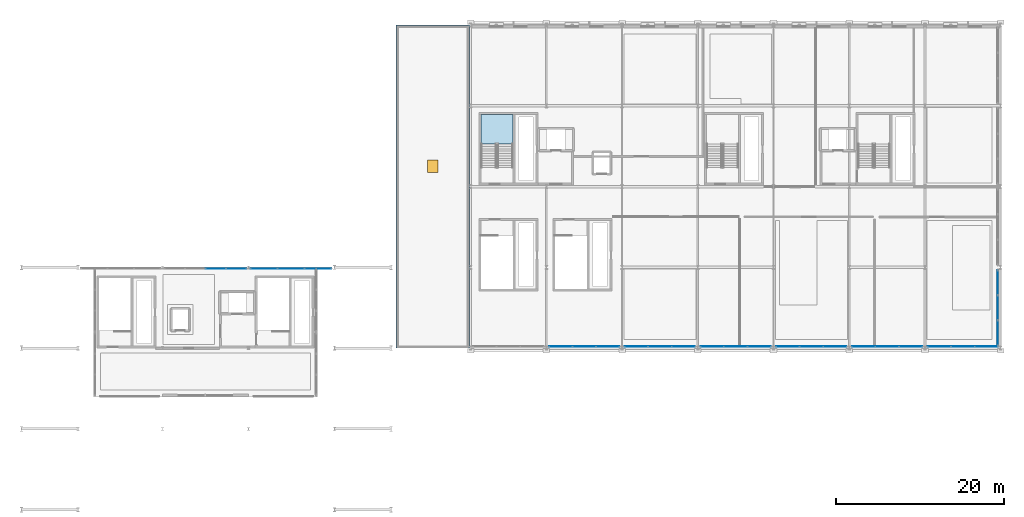
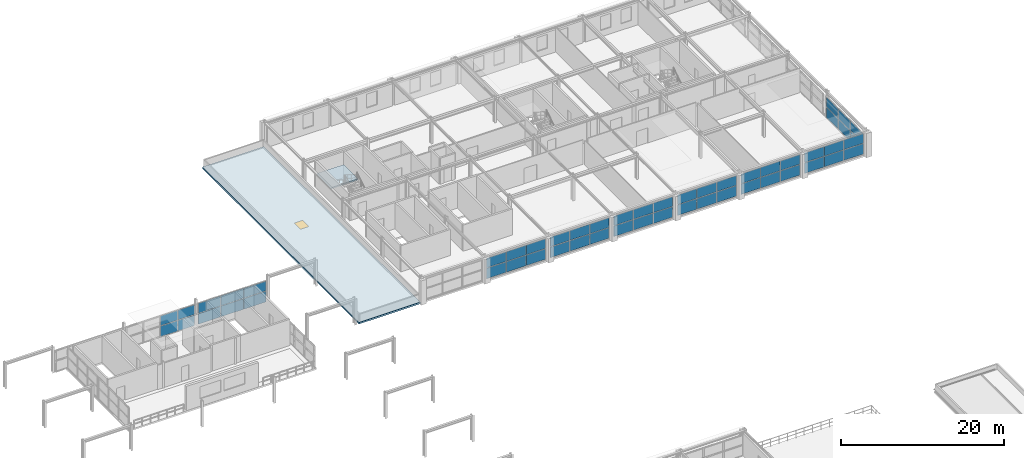
# One storey, part 32 of 52: 52 plates, 2 slabs, 1 window, 1 opening, 10 elements without a shape of their own.
"""IFC4 building model written with IfcOpenShell, lengths in metres."""

from ifc_helpers import new_model, si_unit, direction, frame, origin, origin_2d, place, context, subcontext, project, spatial, polyline, rectangle, outline, extrude, material, layer, layer_set, type_object, element, fill, aggregate, save


model = new_model("IFC4")

# Units and contexts
model_context = context("Model", 3, precision=1e-05, world=origin(), true_north=direction((0.0, 1.0)))
body_context = subcontext(model_context, "Body", "Model", "MODEL_VIEW")
ifc_project = project(units=[si_unit("LENGTHUNIT", "METRE"), si_unit("AREAUNIT", "SQUARE_METRE"), si_unit("VOLUMEUNIT", "CUBIC_METRE"), si_unit("PLANEANGLEUNIT", "RADIAN"), si_unit("MASSUNIT", "GRAM", prefix="KILO")], contexts=[model_context])

# Site, building, storey
site_placement = place(None, origin())
site = spatial("IfcSite", under=ifc_project, at=site_placement, CompositionType="ELEMENT")
building_placement = place(site_placement, origin())
building = spatial("IfcBuilding", under=site, at=building_placement, Name="Myrtia Square Station", CompositionType="ELEMENT")
storey_placement = place(building_placement, frame((0.0, 0.0, 15.0)))
storey = spatial("IfcBuildingStorey", under=building, at=storey_placement, Name="L03", CompositionType="ELEMENT", Elevation=15.0)

# Curtain wall, plates
ifc_material_1 = material(Name="Dark bronze anodised aluminium", Category="aluminium")
ifc_layer_1 = layer(ifc_material_1, 0.159912109375, Name="Dark bronze anodised aluminium")
ifc_layer_set_1 = layer_set([ifc_layer_1], Name="Dark bronze anodised aluminium")
curtain_wall_type_1 = type_object("IfcCurtainWallType", Name="CW-TYPE-16-980x325", PredefinedType="USERDEFINED", material=ifc_layer_set_1)
curtain_wall_1_placement = place(storey_placement, origin())
curtain_wall_1 = element("IfcCurtainWall", 1, at=curtain_wall_1_placement, inside=storey, type_object=curtain_wall_type_1, Name="Concourse curtain wall CW-L03-056", ObjectType="CONCOURSE CURTAIN WALL", PredefinedType="USERDEFINED")
ifc_material_2 = material(Name="Tinted low-E solar control glass", Category="glass")
ifc_layer_2 = layer(ifc_material_2, 0.02392578125, Name="Tinted low-E solar control glass")
ifc_layer_set_2 = layer_set([ifc_layer_2], Name="Tinted low-E solar control glass")
plate_type_1 = type_object("IfcPlateType", Name="CWP-GLZ-24", PredefinedType="CURTAIN_PANEL", material=ifc_layer_set_2)
plate_1_placement = place(storey_placement, frame((95.72509765625, 95.85009765625, 0.06494140625), z_axis=(0.0, 0.0, 1.0), x_axis=(1.0, 0.0, 0.0)))
plate_1 = element("IfcPlate", 2, at=plate_1_placement, type_object=plate_type_1, Name="CW-056 panel 3.1", PredefinedType="CURTAIN_PANEL", context=body_context, shape_type="SweptSolid", body=[
    extrude(rectangle(XDim=2.385009765625, YDim=0.02392578125, at=origin_2d()), origin(), (0.0, 0.0, 1.0), 1.592529296875),
])
plate_2_placement = place(storey_placement, frame((95.72509765625, 95.85009765625, 1.72265625), z_axis=(0.0, 0.0, 1.0), x_axis=(1.0, 0.0, 0.0)))
plate_2 = element("IfcPlate", 3, at=plate_2_placement, type_object=plate_type_1, Name="CW-056 panel 3.2", PredefinedType="CURTAIN_PANEL", context=body_context, shape_type="SweptSolid", body=[
    extrude(rectangle(XDim=2.385009765625, YDim=0.02392578125, at=origin_2d()), origin(), (0.0, 0.0, 1.0), 1.46240234375),
])
plate_3_placement = place(storey_placement, frame((98.15869140625, 95.85009765625, 0.06494140625), z_axis=(0.0, 0.0, 1.0), x_axis=(1.0, 0.0, 0.0)))
plate_3 = element("IfcPlate", 4, at=plate_3_placement, type_object=plate_type_1, Name="CW-056 panel 4.1", PredefinedType="CURTAIN_PANEL", context=body_context, shape_type="SweptSolid", body=[
    extrude(rectangle(XDim=2.3525390625, YDim=0.02392578125, at=origin_2d()), origin(), (0.0, 0.0, 1.0), 1.592529296875),
])
plate_4_placement = place(storey_placement, frame((98.15869140625, 95.85009765625, 1.72265625), z_axis=(0.0, 0.0, 1.0), x_axis=(1.0, 0.0, 0.0)))
plate_4 = element("IfcPlate", 5, at=plate_4_placement, type_object=plate_type_1, Name="CW-056 panel 4.2", PredefinedType="CURTAIN_PANEL", context=body_context, shape_type="SweptSolid", body=[
    extrude(rectangle(XDim=2.3525390625, YDim=0.02392578125, at=origin_2d()), origin(), (0.0, 0.0, 1.0), 1.46240234375),
])
aggregate(curtain_wall_1, [plate_1, plate_2, plate_3, plate_4])

ifc_layer_3 = layer(ifc_material_1, 0.159912109375, Name="Dark bronze anodised aluminium")
ifc_layer_set_3 = layer_set([ifc_layer_3], Name="Dark bronze anodised aluminium")
curtain_wall_type_2 = type_object("IfcCurtainWallType", Name="CW-TYPE-41-845x320", PredefinedType="USERDEFINED", material=ifc_layer_set_3)
curtain_wall_2_placement = place(storey_placement, origin())
curtain_wall_2 = element("IfcCurtainWall", 6, at=curtain_wall_2_placement, inside=storey, type_object=curtain_wall_type_2, Name="Concourse curtain wall CW-L03-148", ObjectType="CONCOURSE CURTAIN WALL", PredefinedType="USERDEFINED")
plate_5_placement = place(storey_placement, frame((181.6982421875, 86.60009765625, 0.06005859375), z_axis=(0.0, 0.0, 1.0), x_axis=(1.0, 0.0, 0.0)))
plate_5 = element("IfcPlate", 7, at=plate_5_placement, type_object=plate_type_1, Name="CW-148 panel 1.1", PredefinedType="CURTAIN_PANEL", context=body_context, shape_type="SweptSolid", body=[
    extrude(rectangle(XDim=2.7265625, YDim=0.02392578125, at=origin_2d()), origin(), (0.0, 0.0, 1.0), 1.573974609375),
])
plate_6_placement = place(storey_placement, frame((181.6982421875, 86.60009765625, 1.69384765625), z_axis=(0.0, 0.0, 1.0), x_axis=(1.0, 0.0, 0.0)))
plate_6 = element("IfcPlate", 8, at=plate_6_placement, type_object=plate_type_1, Name="CW-148 panel 1.2", PredefinedType="CURTAIN_PANEL", context=body_context, shape_type="SweptSolid", body=[
    extrude(rectangle(XDim=2.7265625, YDim=0.02392578125, at=origin_2d()), origin(), (0.0, 0.0, 1.0), 1.446044921875),
])
plate_7_placement = place(storey_placement, frame((184.5, 86.60009765625, 0.06005859375), z_axis=(0.0, 0.0, 1.0), x_axis=(1.0, 0.0, 0.0)))
plate_7 = element("IfcPlate", 9, at=plate_7_placement, type_object=plate_type_1, Name="CW-148 panel 2.1", PredefinedType="CURTAIN_PANEL", context=body_context, shape_type="SweptSolid", body=[
    extrude(rectangle(XDim=2.756591796875, YDim=0.02392578125, at=origin_2d()), origin(), (0.0, 0.0, 1.0), 1.573974609375),
])
plate_8_placement = place(storey_placement, frame((184.5, 86.60009765625, 1.69384765625), z_axis=(0.0, 0.0, 1.0), x_axis=(1.0, 0.0, 0.0)))
plate_8 = element("IfcPlate", 10, at=plate_8_placement, type_object=plate_type_1, Name="CW-148 panel 2.2", PredefinedType="CURTAIN_PANEL", context=body_context, shape_type="SweptSolid", body=[
    extrude(rectangle(XDim=2.756591796875, YDim=0.02392578125, at=origin_2d()), origin(), (0.0, 0.0, 1.0), 1.446044921875),
])
plate_9_placement = place(storey_placement, frame((187.3017578125, 86.60009765625, 0.06005859375), z_axis=(0.0, 0.0, 1.0), x_axis=(1.0, 0.0, 0.0)))
plate_9 = element("IfcPlate", 11, at=plate_9_placement, type_object=plate_type_1, Name="CW-148 panel 3.1", PredefinedType="CURTAIN_PANEL", context=body_context, shape_type="SweptSolid", body=[
    extrude(rectangle(XDim=2.7265625, YDim=0.02392578125, at=origin_2d()), origin(), (0.0, 0.0, 1.0), 1.573974609375),
])
plate_10_placement = place(storey_placement, frame((187.3017578125, 86.60009765625, 1.69384765625), z_axis=(0.0, 0.0, 1.0), x_axis=(1.0, 0.0, 0.0)))
plate_10 = element("IfcPlate", 12, at=plate_10_placement, type_object=plate_type_1, Name="CW-148 panel 3.2", PredefinedType="CURTAIN_PANEL", context=body_context, shape_type="SweptSolid", body=[
    extrude(rectangle(XDim=2.7265625, YDim=0.02392578125, at=origin_2d()), origin(), (0.0, 0.0, 1.0), 1.446044921875),
])
aggregate(curtain_wall_2, [plate_5, plate_6, plate_7, plate_8, plate_9, plate_10])

curtain_wall_3_placement = place(storey_placement, origin())
curtain_wall_3 = element("IfcCurtainWall", 13, at=curtain_wall_3_placement, inside=storey, type_object=curtain_wall_type_2, Name="Concourse curtain wall CW-L03-125", ObjectType="CONCOURSE CURTAIN WALL", PredefinedType="USERDEFINED")
ifc_layer_4 = layer(ifc_material_2, 0.028076171875, Name="Tinted low-E solar control glass")
ifc_layer_set_4 = layer_set([ifc_layer_4], Name="Tinted low-E solar control glass")
plate_type_2 = type_object("IfcPlateType", Name="CWP-GLZ-28", PredefinedType="CURTAIN_PANEL", material=ifc_layer_set_4)
plate_11_placement = place(storey_placement, frame((136.6982421875, 86.60009765625, 0.06005859375), z_axis=(0.0, 0.0, 1.0), x_axis=(1.0, 0.0, 0.0)))
plate_11 = element("IfcPlate", 14, at=plate_11_placement, type_object=plate_type_2, Name="CW-125 panel 1.1", PredefinedType="CURTAIN_PANEL", context=body_context, shape_type="SweptSolid", body=[
    extrude(rectangle(XDim=2.7265625, YDim=0.028076171875, at=origin_2d()), origin(), (0.0, 0.0, 1.0), 1.573974609375),
])
plate_12_placement = place(storey_placement, frame((136.6982421875, 86.60009765625, 1.69384765625), z_axis=(0.0, 0.0, 1.0), x_axis=(1.0, 0.0, 0.0)))
plate_12 = element("IfcPlate", 15, at=plate_12_placement, type_object=plate_type_2, Name="CW-125 panel 1.2", PredefinedType="CURTAIN_PANEL", context=body_context, shape_type="SweptSolid", body=[
    extrude(rectangle(XDim=2.7265625, YDim=0.028076171875, at=origin_2d()), origin(), (0.0, 0.0, 1.0), 1.446044921875),
])
plate_13_placement = place(storey_placement, frame((139.5, 86.60009765625, 0.06005859375), z_axis=(0.0, 0.0, 1.0), x_axis=(1.0, 0.0, 0.0)))
plate_13 = element("IfcPlate", 16, at=plate_13_placement, type_object=plate_type_2, Name="CW-125 panel 2.1", PredefinedType="CURTAIN_PANEL", context=body_context, shape_type="SweptSolid", body=[
    extrude(rectangle(XDim=2.756591796875, YDim=0.028076171875, at=origin_2d()), origin(), (0.0, 0.0, 1.0), 1.573974609375),
])
plate_14_placement = place(storey_placement, frame((139.5, 86.60009765625, 1.69384765625), z_axis=(0.0, 0.0, 1.0), x_axis=(1.0, 0.0, 0.0)))
plate_14 = element("IfcPlate", 17, at=plate_14_placement, type_object=plate_type_2, Name="CW-125 panel 2.2", PredefinedType="CURTAIN_PANEL", context=body_context, shape_type="SweptSolid", body=[
    extrude(rectangle(XDim=2.756591796875, YDim=0.028076171875, at=origin_2d()), origin(), (0.0, 0.0, 1.0), 1.446044921875),
])
plate_15_placement = place(storey_placement, frame((142.3017578125, 86.60009765625, 0.06005859375), z_axis=(0.0, 0.0, 1.0), x_axis=(1.0, 0.0, 0.0)))
plate_15 = element("IfcPlate", 18, at=plate_15_placement, type_object=plate_type_2, Name="CW-125 panel 3.1", PredefinedType="CURTAIN_PANEL", context=body_context, shape_type="SweptSolid", body=[
    extrude(rectangle(XDim=2.7265625, YDim=0.028076171875, at=origin_2d()), origin(), (0.0, 0.0, 1.0), 1.573974609375),
])
plate_16_placement = place(storey_placement, frame((142.3017578125, 86.60009765625, 1.69384765625), z_axis=(0.0, 0.0, 1.0), x_axis=(1.0, 0.0, 0.0)))
plate_16 = element("IfcPlate", 19, at=plate_16_placement, type_object=plate_type_2, Name="CW-125 panel 3.2", PredefinedType="CURTAIN_PANEL", context=body_context, shape_type="SweptSolid", body=[
    extrude(rectangle(XDim=2.7265625, YDim=0.028076171875, at=origin_2d()), origin(), (0.0, 0.0, 1.0), 1.446044921875),
])
aggregate(curtain_wall_3, [plate_11, plate_12, plate_13, plate_14, plate_15, plate_16])

curtain_wall_4_placement = place(storey_placement, origin())
curtain_wall_4 = element("IfcCurtainWall", 20, at=curtain_wall_4_placement, inside=storey, type_object=curtain_wall_type_2, Name="Concourse curtain wall CW-L03-129", ObjectType="CONCOURSE CURTAIN WALL", PredefinedType="USERDEFINED")
plate_17_placement = place(storey_placement, frame((145.6982421875, 86.60009765625, 0.06005859375), z_axis=(0.0, 0.0, 1.0), x_axis=(1.0, 0.0, 0.0)))
plate_17 = element("IfcPlate", 21, at=plate_17_placement, type_object=plate_type_2, Name="CW-129 panel 1.1", PredefinedType="CURTAIN_PANEL", context=body_context, shape_type="SweptSolid", body=[
    extrude(rectangle(XDim=2.7265625, YDim=0.028076171875, at=origin_2d()), origin(), (0.0, 0.0, 1.0), 1.573974609375),
])
plate_18_placement = place(storey_placement, frame((145.6982421875, 86.60009765625, 1.69384765625), z_axis=(0.0, 0.0, 1.0), x_axis=(1.0, 0.0, 0.0)))
plate_18 = element("IfcPlate", 22, at=plate_18_placement, type_object=plate_type_2, Name="CW-129 panel 1.2", PredefinedType="CURTAIN_PANEL", context=body_context, shape_type="SweptSolid", body=[
    extrude(rectangle(XDim=2.7265625, YDim=0.028076171875, at=origin_2d()), origin(), (0.0, 0.0, 1.0), 1.446044921875),
])
plate_19_placement = place(storey_placement, frame((148.5, 86.60009765625, 0.06005859375), z_axis=(0.0, 0.0, 1.0), x_axis=(1.0, 0.0, 0.0)))
plate_19 = element("IfcPlate", 23, at=plate_19_placement, type_object=plate_type_2, Name="CW-129 panel 2.1", PredefinedType="CURTAIN_PANEL", context=body_context, shape_type="SweptSolid", body=[
    extrude(rectangle(XDim=2.756591796875, YDim=0.028076171875, at=origin_2d()), origin(), (0.0, 0.0, 1.0), 1.573974609375),
])
plate_20_placement = place(storey_placement, frame((148.5, 86.60009765625, 1.69384765625), z_axis=(0.0, 0.0, 1.0), x_axis=(1.0, 0.0, 0.0)))
plate_20 = element("IfcPlate", 24, at=plate_20_placement, type_object=plate_type_2, Name="CW-129 panel 2.2", PredefinedType="CURTAIN_PANEL", context=body_context, shape_type="SweptSolid", body=[
    extrude(rectangle(XDim=2.756591796875, YDim=0.028076171875, at=origin_2d()), origin(), (0.0, 0.0, 1.0), 1.446044921875),
])
plate_21_placement = place(storey_placement, frame((151.3017578125, 86.60009765625, 0.06005859375), z_axis=(0.0, 0.0, 1.0), x_axis=(1.0, 0.0, 0.0)))
plate_21 = element("IfcPlate", 25, at=plate_21_placement, type_object=plate_type_2, Name="CW-129 panel 3.1", PredefinedType="CURTAIN_PANEL", context=body_context, shape_type="SweptSolid", body=[
    extrude(rectangle(XDim=2.7265625, YDim=0.028076171875, at=origin_2d()), origin(), (0.0, 0.0, 1.0), 1.573974609375),
])
plate_22_placement = place(storey_placement, frame((151.3017578125, 86.60009765625, 1.69384765625), z_axis=(0.0, 0.0, 1.0), x_axis=(1.0, 0.0, 0.0)))
plate_22 = element("IfcPlate", 26, at=plate_22_placement, type_object=plate_type_2, Name="CW-129 panel 3.2", PredefinedType="CURTAIN_PANEL", context=body_context, shape_type="SweptSolid", body=[
    extrude(rectangle(XDim=2.7265625, YDim=0.028076171875, at=origin_2d()), origin(), (0.0, 0.0, 1.0), 1.446044921875),
])
aggregate(curtain_wall_4, [plate_17, plate_18, plate_19, plate_20, plate_21, plate_22])

curtain_wall_5_placement = place(storey_placement, origin())
curtain_wall_5 = element("IfcCurtainWall", 27, at=curtain_wall_5_placement, inside=storey, type_object=curtain_wall_type_2, Name="Concourse curtain wall CW-L03-133", ObjectType="CONCOURSE CURTAIN WALL", PredefinedType="USERDEFINED")
plate_23_placement = place(storey_placement, frame((154.6982421875, 86.60009765625, 0.06005859375), z_axis=(0.0, 0.0, 1.0), x_axis=(1.0, 0.0, 0.0)))
plate_23 = element("IfcPlate", 28, at=plate_23_placement, type_object=plate_type_2, Name="CW-133 panel 1.1", PredefinedType="CURTAIN_PANEL", context=body_context, shape_type="SweptSolid", body=[
    extrude(rectangle(XDim=2.7265625, YDim=0.028076171875, at=origin_2d()), origin(), (0.0, 0.0, 1.0), 1.573974609375),
])
plate_24_placement = place(storey_placement, frame((154.6982421875, 86.60009765625, 1.69384765625), z_axis=(0.0, 0.0, 1.0), x_axis=(1.0, 0.0, 0.0)))
plate_24 = element("IfcPlate", 29, at=plate_24_placement, type_object=plate_type_2, Name="CW-133 panel 1.2", PredefinedType="CURTAIN_PANEL", context=body_context, shape_type="SweptSolid", body=[
    extrude(rectangle(XDim=2.7265625, YDim=0.028076171875, at=origin_2d()), origin(), (0.0, 0.0, 1.0), 1.446044921875),
])
plate_25_placement = place(storey_placement, frame((157.5, 86.60009765625, 0.06005859375), z_axis=(0.0, 0.0, 1.0), x_axis=(1.0, 0.0, 0.0)))
plate_25 = element("IfcPlate", 30, at=plate_25_placement, type_object=plate_type_2, Name="CW-133 panel 2.1", PredefinedType="CURTAIN_PANEL", context=body_context, shape_type="SweptSolid", body=[
    extrude(rectangle(XDim=2.756591796875, YDim=0.028076171875, at=origin_2d()), origin(), (0.0, 0.0, 1.0), 1.573974609375),
])
plate_26_placement = place(storey_placement, frame((157.5, 86.60009765625, 1.69384765625), z_axis=(0.0, 0.0, 1.0), x_axis=(1.0, 0.0, 0.0)))
plate_26 = element("IfcPlate", 31, at=plate_26_placement, type_object=plate_type_2, Name="CW-133 panel 2.2", PredefinedType="CURTAIN_PANEL", context=body_context, shape_type="SweptSolid", body=[
    extrude(rectangle(XDim=2.756591796875, YDim=0.028076171875, at=origin_2d()), origin(), (0.0, 0.0, 1.0), 1.446044921875),
])
plate_27_placement = place(storey_placement, frame((160.3017578125, 86.60009765625, 0.06005859375), z_axis=(0.0, 0.0, 1.0), x_axis=(1.0, 0.0, 0.0)))
plate_27 = element("IfcPlate", 32, at=plate_27_placement, type_object=plate_type_2, Name="CW-133 panel 3.1", PredefinedType="CURTAIN_PANEL", context=body_context, shape_type="SweptSolid", body=[
    extrude(rectangle(XDim=2.7265625, YDim=0.028076171875, at=origin_2d()), origin(), (0.0, 0.0, 1.0), 1.573974609375),
])
plate_28_placement = place(storey_placement, frame((160.3017578125, 86.60009765625, 1.69384765625), z_axis=(0.0, 0.0, 1.0), x_axis=(1.0, 0.0, 0.0)))
plate_28 = element("IfcPlate", 33, at=plate_28_placement, type_object=plate_type_2, Name="CW-133 panel 3.2", PredefinedType="CURTAIN_PANEL", context=body_context, shape_type="SweptSolid", body=[
    extrude(rectangle(XDim=2.7265625, YDim=0.028076171875, at=origin_2d()), origin(), (0.0, 0.0, 1.0), 1.446044921875),
])
aggregate(curtain_wall_5, [plate_23, plate_24, plate_25, plate_26, plate_27, plate_28])

ifc_layer_5 = layer(ifc_material_1, 0.159912109375, Name="Dark bronze anodised aluminium")
ifc_layer_set_5 = layer_set([ifc_layer_5], Name="Dark bronze anodised aluminium")
curtain_wall_type_3 = type_object("IfcCurtainWallType", Name="CW-TYPE-50-905x320", PredefinedType="USERDEFINED", material=ifc_layer_set_5)
curtain_wall_6_placement = place(storey_placement, origin())
curtain_wall_6 = element("IfcCurtainWall", 34, at=curtain_wall_6_placement, inside=storey, type_object=curtain_wall_type_3, Name="Concourse curtain wall CW-L03-159", ObjectType="CONCOURSE CURTAIN WALL", PredefinedType="USERDEFINED")
plate_29_placement = place(storey_placement, frame((188.64990234375, 88.2021484375, 0.0751953125), z_axis=(0.0, 0.0, 1.0), x_axis=(0.0, 1.0, 0.0)))
plate_29 = element("IfcPlate", 35, at=plate_29_placement, type_object=plate_type_2, Name="CW-159 panel 1.1", PredefinedType="CURTAIN_PANEL", context=body_context, shape_type="SweptSolid", body=[
    extrude(rectangle(XDim=2.904052734375, YDim=0.028076171875, at=origin_2d()), origin(), (0.0, 0.0, 1.0), 1.551513671875),
])
plate_30_placement = place(storey_placement, frame((188.64990234375, 88.2021484375, 1.70166015625), z_axis=(0.0, 0.0, 1.0), x_axis=(0.0, 1.0, 0.0)))
plate_30 = element("IfcPlate", 36, at=plate_30_placement, type_object=plate_type_2, Name="CW-159 panel 1.2", PredefinedType="CURTAIN_PANEL", context=body_context, shape_type="SweptSolid", body=[
    extrude(rectangle(XDim=2.904052734375, YDim=0.028076171875, at=origin_2d()), origin(), (0.0, 0.0, 1.0), 1.423583984375),
])
plate_31_placement = place(storey_placement, frame((188.64990234375, 91.199951171875, 0.0751953125), z_axis=(0.0, 0.0, 1.0), x_axis=(0.0, 1.0, 0.0)))
plate_31 = element("IfcPlate", 37, at=plate_31_placement, type_object=plate_type_2, Name="CW-159 panel 2.1", PredefinedType="CURTAIN_PANEL", context=body_context, shape_type="SweptSolid", body=[
    extrude(rectangle(XDim=2.941650390625, YDim=0.028076171875, at=origin_2d()), origin(), (0.0, 0.0, 1.0), 1.551513671875),
])
plate_32_placement = place(storey_placement, frame((188.64990234375, 91.199951171875, 1.70166015625), z_axis=(0.0, 0.0, 1.0), x_axis=(0.0, 1.0, 0.0)))
plate_32 = element("IfcPlate", 38, at=plate_32_placement, type_object=plate_type_2, Name="CW-159 panel 2.2", PredefinedType="CURTAIN_PANEL", context=body_context, shape_type="SweptSolid", body=[
    extrude(rectangle(XDim=2.941650390625, YDim=0.028076171875, at=origin_2d()), origin(), (0.0, 0.0, 1.0), 1.423583984375),
])
plate_33_placement = place(storey_placement, frame((188.64990234375, 94.197998046875, 0.0751953125), z_axis=(0.0, 0.0, 1.0), x_axis=(0.0, 1.0, 0.0)))
plate_33 = element("IfcPlate", 39, at=plate_33_placement, type_object=plate_type_2, Name="CW-159 panel 3.1", PredefinedType="CURTAIN_PANEL", context=body_context, shape_type="SweptSolid", body=[
    extrude(rectangle(XDim=2.904052734375, YDim=0.028076171875, at=origin_2d()), origin(), (0.0, 0.0, 1.0), 1.551513671875),
])
plate_34_placement = place(storey_placement, frame((188.64990234375, 94.197998046875, 1.70166015625), z_axis=(0.0, 0.0, 1.0), x_axis=(0.0, 1.0, 0.0)))
plate_34 = element("IfcPlate", 40, at=plate_34_placement, type_object=plate_type_2, Name="CW-159 panel 3.2", PredefinedType="CURTAIN_PANEL", context=body_context, shape_type="SweptSolid", body=[
    extrude(rectangle(XDim=2.904052734375, YDim=0.028076171875, at=origin_2d()), origin(), (0.0, 0.0, 1.0), 1.423583984375),
])
aggregate(curtain_wall_6, [plate_29, plate_30, plate_31, plate_32, plate_33, plate_34])

ifc_layer_6 = layer(ifc_material_1, 0.159912109375, Name="Dark bronze anodised aluminium")
ifc_layer_set_6 = layer_set([ifc_layer_6], Name="Dark bronze anodised aluminium")
curtain_wall_type_4 = type_object("IfcCurtainWallType", Name="CW-TYPE-17-970x325", PredefinedType="USERDEFINED", material=ifc_layer_set_6)
curtain_wall_7_placement = place(storey_placement, origin())
curtain_wall_7 = element("IfcCurtainWall", 41, at=curtain_wall_7_placement, inside=storey, type_object=curtain_wall_type_4, Name="Concourse curtain wall CW-L03-058", ObjectType="CONCOURSE CURTAIN WALL", PredefinedType="USERDEFINED")
ifc_layer_7 = layer(ifc_material_2, 0.031982421875, Name="Tinted low-E solar control glass")
ifc_layer_set_7 = layer_set([ifc_layer_7], Name="Tinted low-E solar control glass")
plate_type_3 = type_object("IfcPlateType", Name="CWP-GLZ-32", PredefinedType="CURTAIN_PANEL", material=ifc_layer_set_7)
plate_35_placement = place(storey_placement, frame((101.432861328125, 95.85009765625, 0.06494140625), z_axis=(0.0, 0.0, 1.0), x_axis=(1.0, 0.0, 0.0)))
plate_35 = element("IfcPlate", 42, at=plate_35_placement, type_object=plate_type_3, Name="CW-058 panel 1.1", PredefinedType="CURTAIN_PANEL", context=body_context, shape_type="SweptSolid", body=[
    extrude(rectangle(XDim=3.1357421875, YDim=0.031982421875, at=origin_2d()), origin(), (0.0, 0.0, 1.0), 1.592529296875),
])
plate_36_placement = place(storey_placement, frame((101.432861328125, 95.85009765625, 1.72265625), z_axis=(0.0, 0.0, 1.0), x_axis=(1.0, 0.0, 0.0)))
plate_36 = element("IfcPlate", 43, at=plate_36_placement, type_object=plate_type_3, Name="CW-058 panel 1.2", PredefinedType="CURTAIN_PANEL", context=body_context, shape_type="SweptSolid", body=[
    extrude(rectangle(XDim=3.1357421875, YDim=0.031982421875, at=origin_2d()), origin(), (0.0, 0.0, 1.0), 1.46240234375),
])
plate_37_placement = place(storey_placement, frame((104.64990234375, 95.85009765625, 0.06494140625), z_axis=(0.0, 0.0, 1.0), x_axis=(1.0, 0.0, 0.0)))
plate_37 = element("IfcPlate", 44, at=plate_37_placement, type_object=plate_type_3, Name="CW-058 panel 2.1", PredefinedType="CURTAIN_PANEL", context=body_context, shape_type="SweptSolid", body=[
    extrude(rectangle(XDim=3.168212890625, YDim=0.031982421875, at=origin_2d()), origin(), (0.0, 0.0, 1.0), 1.592529296875),
])
plate_38_placement = place(storey_placement, frame((104.64990234375, 95.85009765625, 1.72265625), z_axis=(0.0, 0.0, 1.0), x_axis=(1.0, 0.0, 0.0)))
plate_38 = element("IfcPlate", 45, at=plate_38_placement, type_object=plate_type_3, Name="CW-058 panel 2.2", PredefinedType="CURTAIN_PANEL", context=body_context, shape_type="SweptSolid", body=[
    extrude(rectangle(XDim=3.168212890625, YDim=0.031982421875, at=origin_2d()), origin(), (0.0, 0.0, 1.0), 1.46240234375),
])
plate_39_placement = place(storey_placement, frame((107.8671875, 95.85009765625, 0.06494140625), z_axis=(0.0, 0.0, 1.0), x_axis=(1.0, 0.0, 0.0)))
plate_39 = element("IfcPlate", 46, at=plate_39_placement, type_object=plate_type_3, Name="CW-058 panel 3.1", PredefinedType="CURTAIN_PANEL", context=body_context, shape_type="SweptSolid", body=[
    extrude(rectangle(XDim=3.1357421875, YDim=0.031982421875, at=origin_2d()), origin(), (0.0, 0.0, 1.0), 1.592529296875),
])
plate_40_placement = place(storey_placement, frame((107.8671875, 95.85009765625, 1.72265625), z_axis=(0.0, 0.0, 1.0), x_axis=(1.0, 0.0, 0.0)))
plate_40 = element("IfcPlate", 47, at=plate_40_placement, type_object=plate_type_3, Name="CW-058 panel 3.2", PredefinedType="CURTAIN_PANEL", context=body_context, shape_type="SweptSolid", body=[
    extrude(rectangle(XDim=3.1357421875, YDim=0.031982421875, at=origin_2d()), origin(), (0.0, 0.0, 1.0), 1.46240234375),
])
aggregate(curtain_wall_7, [plate_35, plate_36, plate_37, plate_38, plate_39, plate_40])

curtain_wall_8_placement = place(storey_placement, origin())
curtain_wall_8 = element("IfcCurtainWall", 48, at=curtain_wall_8_placement, inside=storey, type_object=curtain_wall_type_2, Name="Concourse curtain wall CW-L03-138", ObjectType="CONCOURSE CURTAIN WALL", PredefinedType="USERDEFINED")
plate_41_placement = place(storey_placement, frame((163.6982421875, 86.60009765625, 0.06005859375), z_axis=(0.0, 0.0, 1.0), x_axis=(1.0, 0.0, 0.0)))
plate_41 = element("IfcPlate", 49, at=plate_41_placement, type_object=plate_type_3, Name="CW-138 panel 1.1", PredefinedType="CURTAIN_PANEL", context=body_context, shape_type="SweptSolid", body=[
    extrude(rectangle(XDim=2.7265625, YDim=0.031982421875, at=origin_2d()), origin(), (0.0, 0.0, 1.0), 1.573974609375),
])
plate_42_placement = place(storey_placement, frame((163.6982421875, 86.60009765625, 1.69384765625), z_axis=(0.0, 0.0, 1.0), x_axis=(1.0, 0.0, 0.0)))
plate_42 = element("IfcPlate", 50, at=plate_42_placement, type_object=plate_type_3, Name="CW-138 panel 1.2", PredefinedType="CURTAIN_PANEL", context=body_context, shape_type="SweptSolid", body=[
    extrude(rectangle(XDim=2.7265625, YDim=0.031982421875, at=origin_2d()), origin(), (0.0, 0.0, 1.0), 1.446044921875),
])
plate_43_placement = place(storey_placement, frame((166.5, 86.60009765625, 0.06005859375), z_axis=(0.0, 0.0, 1.0), x_axis=(1.0, 0.0, 0.0)))
plate_43 = element("IfcPlate", 51, at=plate_43_placement, type_object=plate_type_3, Name="CW-138 panel 2.1", PredefinedType="CURTAIN_PANEL", context=body_context, shape_type="SweptSolid", body=[
    extrude(rectangle(XDim=2.756591796875, YDim=0.031982421875, at=origin_2d()), origin(), (0.0, 0.0, 1.0), 1.573974609375),
])
plate_44_placement = place(storey_placement, frame((166.5, 86.60009765625, 1.69384765625), z_axis=(0.0, 0.0, 1.0), x_axis=(1.0, 0.0, 0.0)))
plate_44 = element("IfcPlate", 52, at=plate_44_placement, type_object=plate_type_3, Name="CW-138 panel 2.2", PredefinedType="CURTAIN_PANEL", context=body_context, shape_type="SweptSolid", body=[
    extrude(rectangle(XDim=2.756591796875, YDim=0.031982421875, at=origin_2d()), origin(), (0.0, 0.0, 1.0), 1.446044921875),
])
plate_45_placement = place(storey_placement, frame((169.3017578125, 86.60009765625, 0.06005859375), z_axis=(0.0, 0.0, 1.0), x_axis=(1.0, 0.0, 0.0)))
plate_45 = element("IfcPlate", 53, at=plate_45_placement, type_object=plate_type_3, Name="CW-138 panel 3.1", PredefinedType="CURTAIN_PANEL", context=body_context, shape_type="SweptSolid", body=[
    extrude(rectangle(XDim=2.7265625, YDim=0.031982421875, at=origin_2d()), origin(), (0.0, 0.0, 1.0), 1.573974609375),
])
plate_46_placement = place(storey_placement, frame((169.3017578125, 86.60009765625, 1.69384765625), z_axis=(0.0, 0.0, 1.0), x_axis=(1.0, 0.0, 0.0)))
plate_46 = element("IfcPlate", 54, at=plate_46_placement, type_object=plate_type_3, Name="CW-138 panel 3.2", PredefinedType="CURTAIN_PANEL", context=body_context, shape_type="SweptSolid", body=[
    extrude(rectangle(XDim=2.7265625, YDim=0.031982421875, at=origin_2d()), origin(), (0.0, 0.0, 1.0), 1.446044921875),
])
aggregate(curtain_wall_8, [plate_41, plate_42, plate_43, plate_44, plate_45, plate_46])

curtain_wall_9_placement = place(storey_placement, origin())
curtain_wall_9 = element("IfcCurtainWall", 55, at=curtain_wall_9_placement, inside=storey, type_object=curtain_wall_type_2, Name="Concourse curtain wall CW-L03-143", ObjectType="CONCOURSE CURTAIN WALL", PredefinedType="USERDEFINED")
ifc_layer_8 = layer(ifc_material_2, 0.035888671875, Name="Tinted low-E solar control glass")
ifc_layer_set_8 = layer_set([ifc_layer_8], Name="Tinted low-E solar control glass")
plate_type_4 = type_object("IfcPlateType", Name="CWP-GLZ-36", PredefinedType="CURTAIN_PANEL", material=ifc_layer_set_8)
plate_47_placement = place(storey_placement, frame((172.6982421875, 86.60009765625, 0.06005859375), z_axis=(0.0, 0.0, 1.0), x_axis=(1.0, 0.0, 0.0)))
plate_47 = element("IfcPlate", 56, at=plate_47_placement, type_object=plate_type_4, Name="CW-143 panel 1.1", PredefinedType="CURTAIN_PANEL", context=body_context, shape_type="SweptSolid", body=[
    extrude(rectangle(XDim=2.7265625, YDim=0.035888671875, at=origin_2d()), origin(), (0.0, 0.0, 1.0), 1.573974609375),
])
plate_48_placement = place(storey_placement, frame((172.6982421875, 86.60009765625, 1.69384765625), z_axis=(0.0, 0.0, 1.0), x_axis=(1.0, 0.0, 0.0)))
plate_48 = element("IfcPlate", 57, at=plate_48_placement, type_object=plate_type_4, Name="CW-143 panel 1.2", PredefinedType="CURTAIN_PANEL", context=body_context, shape_type="SweptSolid", body=[
    extrude(rectangle(XDim=2.7265625, YDim=0.035888671875, at=origin_2d()), origin(), (0.0, 0.0, 1.0), 1.446044921875),
])
plate_49_placement = place(storey_placement, frame((175.5, 86.60009765625, 0.06005859375), z_axis=(0.0, 0.0, 1.0), x_axis=(1.0, 0.0, 0.0)))
plate_49 = element("IfcPlate", 58, at=plate_49_placement, type_object=plate_type_4, Name="CW-143 panel 2.1", PredefinedType="CURTAIN_PANEL", context=body_context, shape_type="SweptSolid", body=[
    extrude(rectangle(XDim=2.756591796875, YDim=0.035888671875, at=origin_2d()), origin(), (0.0, 0.0, 1.0), 1.573974609375),
])
plate_50_placement = place(storey_placement, frame((175.5, 86.60009765625, 1.69384765625), z_axis=(0.0, 0.0, 1.0), x_axis=(1.0, 0.0, 0.0)))
plate_50 = element("IfcPlate", 59, at=plate_50_placement, type_object=plate_type_4, Name="CW-143 panel 2.2", PredefinedType="CURTAIN_PANEL", context=body_context, shape_type="SweptSolid", body=[
    extrude(rectangle(XDim=2.756591796875, YDim=0.035888671875, at=origin_2d()), origin(), (0.0, 0.0, 1.0), 1.446044921875),
])
plate_51_placement = place(storey_placement, frame((178.3017578125, 86.60009765625, 0.06005859375), z_axis=(0.0, 0.0, 1.0), x_axis=(1.0, 0.0, 0.0)))
plate_51 = element("IfcPlate", 60, at=plate_51_placement, type_object=plate_type_4, Name="CW-143 panel 3.1", PredefinedType="CURTAIN_PANEL", context=body_context, shape_type="SweptSolid", body=[
    extrude(rectangle(XDim=2.7265625, YDim=0.035888671875, at=origin_2d()), origin(), (0.0, 0.0, 1.0), 1.573974609375),
])
plate_52_placement = place(storey_placement, frame((178.3017578125, 86.60009765625, 1.69384765625), z_axis=(0.0, 0.0, 1.0), x_axis=(1.0, 0.0, 0.0)))
plate_52 = element("IfcPlate", 61, at=plate_52_placement, type_object=plate_type_4, Name="CW-143 panel 3.2", PredefinedType="CURTAIN_PANEL", context=body_context, shape_type="SweptSolid", body=[
    extrude(rectangle(XDim=2.7265625, YDim=0.035888671875, at=origin_2d()), origin(), (0.0, 0.0, 1.0), 1.446044921875),
])
aggregate(curtain_wall_9, [plate_47, plate_48, plate_49, plate_50, plate_51, plate_52])

# Stair, slab
ifc_material_3 = material(Name="Concrete C35/45", Category="concrete")
stair_type = type_object("IfcStairType", Name="STR-05-22R-1800W", PredefinedType="HALF_TURN_STAIR", material=ifc_material_3)
stair_placement = place(storey_placement, origin())
stair = element("IfcStair", 62, at=stair_placement, inside=storey, type_object=stair_type, Name="L03 Core escape stair ST07", PredefinedType="HALF_TURN_STAIR")
ifc_layer_9 = layer(ifc_material_3, 0.199951171875, Name="Concrete C35/45")
ifc_layer_set_9 = layer_set([ifc_layer_9], Name="Concrete C35/45")
slab_type_1 = type_object("IfcSlabType", Name="SLB-LAND-200", PredefinedType="LANDING", material=ifc_layer_set_9)
slab_1_placement = place(storey_placement, frame((0.0, 0.0, 1.75)))
slab_1 = element("IfcSlab", 63, at=slab_1_placement, type_object=slab_type_1, Name="ST07 landing 1", PredefinedType="LANDING", context=body_context, shape_type="SweptSolid", body=[
    extrude(outline(polyline([(131.010009765625, 110.64990234375), (131.010009765625, 114.14990234375), (127.25, 114.14990234375), (127.25, 110.64990234375), (131.010009765625, 110.64990234375)])), origin(), (0.0, 0.0, 1.0), 0.199951171875),
])
aggregate(stair, [slab_1])

# Slab, opening, window
ifc_layer_10 = layer(ifc_material_3, 0.2451171875, Name="Concrete C35/45")
ifc_layer_set_10 = layer_set([ifc_layer_10], Name="Concrete C35/45")
slab_type_2 = type_object("IfcSlabType", Name="SLB-ROOF-245", PredefinedType="ROOF", material=ifc_layer_set_10)
slab_2_placement = place(storey_placement, frame((0.0, 0.0, -0.2451171875)))
slab_2 = element("IfcSlab", 64, at=slab_2_placement, inside=storey, type_object=slab_type_2, Name="Flat roof deck ROOF-L03-V5W", PredefinedType="ROOF", context=body_context, shape_type="SweptSolid", body=[
    extrude(outline(polyline([(117.14990234375, 86.39990234375), (125.85009765625, 86.39990234375), (125.85009765625, 124.800048828125), (117.14990234375, 124.800048828125), (117.14990234375, 86.39990234375)])), origin(), (0.0, 0.0, 1.0), 0.2451171875),
])
opening_placement = place(slab_2_placement, frame((121.5, 108.0, 0.0)))
opening = element("IfcOpeningElement", 65, at=opening_placement, cuts=slab_2, Name="Opening SK-018", PredefinedType="OPENING", context=body_context, shape_type="SweptSolid", body=[
    extrude(rectangle(XDim=1.199951171875, YDim=1.5, at=origin_2d()), frame((0.0, 0.0, -0.014892578125), z_axis=(0.0, 0.0, 1.0), x_axis=(1.0, 0.0, 0.0)), (0.0, 0.0, 1.0), 0.275146484375),
])
window_type = type_object("IfcWindowType", Name="SKY-HATCH-1200x1500", PartitioningType="SINGLE_PANEL", PredefinedType="SKYLIGHT", material=ifc_material_2)
window_placement = place(opening_placement, frame((0.0, 0.0, 0.195068359375)))
window = element("IfcWindow", 66, at=window_placement, inside=storey, type_object=window_type, Name="Roof maintenance access hatch SK-018", OverallHeight=1.5, OverallWidth=1.199951171875, PartitioningType="SINGLE_PANEL", PredefinedType="SKYLIGHT", context=body_context, shape_type="SweptSolid", body=[
    extrude(rectangle(XDim=1.199951171875, YDim=1.5, at=origin_2d()), origin(), (0.0, 0.0, 1.0), 0.050048828125),
])
fill(opening, window)

save(model, "model.ifc")
